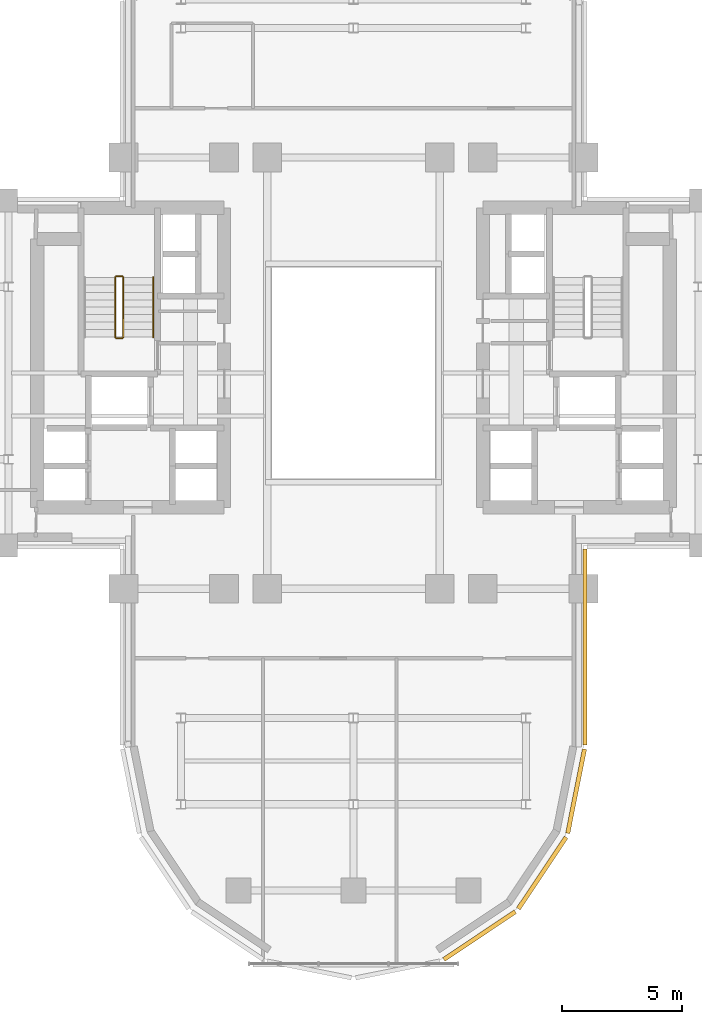
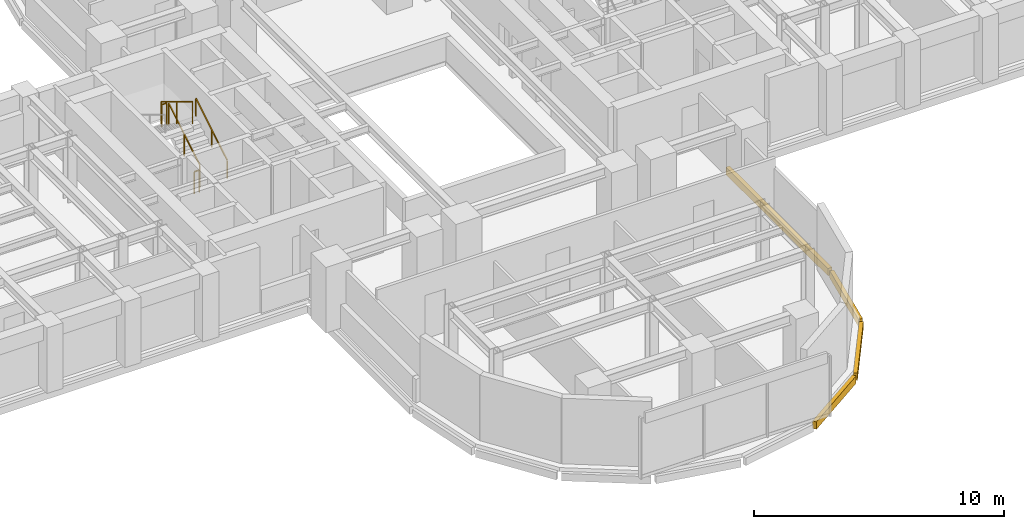
# One storey, part 14 of 16: 5 railings, 4 coverings.
"""IFC4 building model written with IfcOpenShell, lengths in metres."""

from ifc_helpers import new_model, si_unit, direction, frame, origin, origin_2d, place, context, subcontext, project, spatial, rectangle, extrude, source, transform, mapped, material, layer, layer_set, type_object, element, save


model = new_model("IFC4")

# Units and contexts
model_context = context("Model", 3, precision=1e-05, world=origin(), true_north=direction((0.0, 1.0)))
body_context = subcontext(model_context, "Body", "Model", "MODEL_VIEW")
ifc_project = project(units=[si_unit("LENGTHUNIT", "METRE"), si_unit("AREAUNIT", "SQUARE_METRE"), si_unit("VOLUMEUNIT", "CUBIC_METRE"), si_unit("PLANEANGLEUNIT", "RADIAN"), si_unit("MASSUNIT", "GRAM", prefix="KILO")], contexts=[model_context])

# Site, building, storey
site_placement = place(None, origin())
site = spatial("IfcSite", under=ifc_project, at=site_placement, CompositionType="ELEMENT")
building_placement = place(site_placement, origin())
building = spatial("IfcBuilding", under=site, at=building_placement, Name="Keilestroom Media Tower", CompositionType="ELEMENT")
storey_placement = place(building_placement, frame((0.0, 0.0, 54.39990234375)))
storey = spatial("IfcBuildingStorey", under=building, at=storey_placement, Name="L13", CompositionType="ELEMENT", Elevation=54.39990234375)

# Railings
ifc_material_1 = material(Name="Brushed Stainless Steel 1.4301", Category="steel")
railing_type_1 = type_object("IfcRailingType", Name="Stair-Pitch-Handrail-920", PredefinedType="HANDRAIL", material=ifc_material_1)
railing_1_placement = place(storey_placement, frame((-8.35009765625, 1.5, 0.18896484375)))
element("IfcRailing", 1, at=railing_1_placement, inside=storey, type_object=railing_type_1, Name="L13 ST-1 stair handrail 1", PredefinedType="HANDRAIL", context=body_context, shape_type="SweptSolid", body=[
    extrude(rectangle(XDim=0.048095703125, YDim=0.048095703125, at=origin_2d()), frame((0.0, 0.0, 0.8759765625), z_axis=(0.0, 0.855433747314, 0.517912255074), x_axis=(-1.0, 0.0, 0.0)), (0.0, 0.0, 1.0), 2.91796875),
    extrude(rectangle(XDim=0.0419921875, YDim=0.0419921875, at=origin_2d()), origin(), (0.0, 0.0, 1.0), 0.84375),
    extrude(rectangle(XDim=0.0419921875, YDim=0.0419921875, at=origin_2d()), frame((0.0, 1.248046875, 0.755615234375)), (0.0, 0.0, 1.0), 0.84375),
    extrude(rectangle(XDim=0.0419921875, YDim=0.0419921875, at=origin_2d()), frame((0.0, 2.49609375, 1.51123046875)), (0.0, 0.0, 1.0), 0.84375),
])
ifc_material_2 = material(Name="Painted Steel Balustrade", Category="steel")
railing_type_2 = type_object("IfcRailingType", Name="Stair-Well-And-Landing-Guard-1100", PredefinedType="GUARDRAIL", material=ifc_material_2)
railing_2_placement = place(storey_placement, frame((-9.610107421875, 1.5, 0.18896484375)))
element("IfcRailing", 2, at=railing_2_placement, inside=storey, type_object=railing_type_2, Name="L13 ST-1 stair guard 1", PredefinedType="GUARDRAIL", context=body_context, shape_type="SweptSolid", body=[
    extrude(rectangle(XDim=0.048095703125, YDim=0.048095703125, at=origin_2d()), frame((0.0, 0.0, 1.076171875), z_axis=(0.0, 0.855433747314, 0.517912255074), x_axis=(-1.0, 0.0, 0.0)), (0.0, 0.0, 1.0), 2.91796875),
    extrude(rectangle(XDim=0.0419921875, YDim=0.0419921875, at=origin_2d()), origin(), (0.0, 0.0, 1.0), 1.0439453125),
    extrude(rectangle(XDim=0.0419921875, YDim=0.0419921875, at=origin_2d()), frame((0.0, 1.248046875, 0.755615234375)), (0.0, 0.0, 1.0), 1.0439453125),
    extrude(rectangle(XDim=0.0419921875, YDim=0.0419921875, at=origin_2d()), frame((0.0, 2.49609375, 1.51123046875)), (0.0, 0.0, 1.0), 1.0439453125),
])
railing_3_placement = place(storey_placement, frame((-9.659912109375, 4.0458984375, 1.7001953125)))
element("IfcRailing", 3, at=railing_3_placement, inside=storey, type_object=railing_type_2, Name="L13 ST-1 stair guard 2", PredefinedType="GUARDRAIL", context=body_context, shape_type="SweptSolid", body=[
    extrude(rectangle(XDim=0.048095703125, YDim=0.048095703125, at=origin_2d()), frame((0.0, 0.0, 1.076171875), z_axis=(-1.0, 0.0, 0.0), x_axis=(0.0, -1.0, 0.0)), (0.0, 0.0, 1.0), 0.239990234375),
    extrude(rectangle(XDim=0.0419921875, YDim=0.0419921875, at=origin_2d()), origin(), (0.0, 0.0, 1.0), 1.0439453125),
    extrude(rectangle(XDim=0.0419921875, YDim=0.0419921875, at=origin_2d()), frame((-0.239990234375, 0.0, 0.0)), (0.0, 0.0, 1.0), 1.0439453125),
])
railing_4_placement = place(storey_placement, frame((-9.949951171875, 3.99609375, 1.888916015625)))
element("IfcRailing", 4, at=railing_4_placement, inside=storey, type_object=railing_type_2, Name="L13 ST-1 stair guard 3", PredefinedType="GUARDRAIL", context=body_context, shape_type="SweptSolid", body=[
    extrude(rectangle(XDim=0.048095703125, YDim=0.048095703125, at=origin_2d()), frame((0.0, 0.0, 1.076171875), z_axis=(0.0, -0.855433747314, 0.517912255074), x_axis=(1.0, 0.0, 0.0)), (0.0, 0.0, 1.0), 2.91796875),
    extrude(rectangle(XDim=0.0419921875, YDim=0.0419921875, at=origin_2d()), origin(), (0.0, 0.0, 1.0), 1.0439453125),
    extrude(rectangle(XDim=0.0419921875, YDim=0.0419921875, at=origin_2d()), frame((0.0, -1.248046875, 0.755615234375)), (0.0, 0.0, 1.0), 1.0439453125),
    extrude(rectangle(XDim=0.0419921875, YDim=0.0419921875, at=origin_2d()), frame((0.0, -2.49609375, 1.51123046875)), (0.0, 0.0, 1.0), 1.0439453125),
])
railing_5_placement = place(storey_placement, frame((-9.659912109375, 1.449951171875, 0.0)))
element("IfcRailing", 5, at=railing_5_placement, inside=storey, type_object=railing_type_2, Name="L13 ST-1 stair guard 4", PredefinedType="GUARDRAIL", context=body_context, shape_type="SweptSolid", body=[
    extrude(rectangle(XDim=0.048095703125, YDim=0.048095703125, at=origin_2d()), frame((0.0, 0.0, 1.076171875), z_axis=(-1.0, 0.0, 0.0), x_axis=(0.0, -1.0, 0.0)), (0.0, 0.0, 1.0), 0.239990234375),
    extrude(rectangle(XDim=0.0419921875, YDim=0.0419921875, at=origin_2d()), origin(), (0.0, 0.0, 1.0), 1.0439453125),
    extrude(rectangle(XDim=0.0419921875, YDim=0.0419921875, at=origin_2d()), frame((-0.239990234375, 0.0, 0.0)), (0.0, 0.0, 1.0), 1.0439453125),
])

# Coverings
ifc_material_3 = material(Name="Precast concrete C40/50", Category="concrete")
ifc_layer = layer(ifc_material_3, 0.1201171875)
ifc_layer_set = layer_set([ifc_layer], Name="Precast concrete C40/50")
covering_type = type_object("IfcCoveringType", Name="Exterior-Precast-Spandrel-Cladding-Panel-120", PredefinedType="CLADDING", material=ifc_layer_set)
shared_shape_1 = source(origin(), body_context, "Body", "SweptSolid", [
    extrude(rectangle(XDim=8.166015625, YDim=0.179931640625, at=origin_2d()), origin(), (0.0, 0.0, 1.0), 0.360107421875),
])
covering_1_placement = place(storey_placement, frame((9.659912109375, -11.43310546875, -0.5400390625), z_axis=(0.0, 0.0, 1.0), x_axis=(0.0, -1.0, 0.0)))
element("IfcCovering", 6, at=covering_1_placement, inside=storey, type_object=covering_type, Name="L13 Precast Slab-Edge Fascia Cornice 06", PredefinedType="CLADDING", context=body_context, shape_type="MappedRepresentation", body=[
    mapped(shared_shape_1, transform((0.0, 0.0, 0.0), x_axis=(1.0, 0.0, 0.0), y_axis=(0.0, 1.0, 0.0), z_axis=(0.0, 0.0, 1.0), scale=1.0)),
])
shared_shape_2 = source(origin(), body_context, "Body", "SweptSolid", [
    extrude(rectangle(XDim=3.58349609375, YDim=0.179931640625, at=origin_2d()), origin(), (0.0, 0.0, 1.0), 0.360107421875),
])
covering_2_placement = place(storey_placement, frame((9.29296875, -17.45166015625, -0.5400390625), z_axis=(0.0, 0.0, 1.0), x_axis=(-0.195098880975, -0.980783577882, 0.0)))
element("IfcCovering", 7, at=covering_2_placement, inside=storey, type_object=covering_type, Name="L13 Precast Slab-Edge Fascia Cornice 07", PredefinedType="CLADDING", context=body_context, shape_type="MappedRepresentation", body=[
    mapped(shared_shape_2, transform((0.0, 0.0, 0.0), x_axis=(1.0, 0.0, 0.0), y_axis=(0.0, 1.0, 0.0), z_axis=(0.0, 0.0, 1.0), scale=1.0)),
])
shared_shape_3 = source(origin(), body_context, "Body", "SweptSolid", [
    extrude(rectangle(XDim=3.589599609375, YDim=0.179931640625, at=origin_2d()), origin(), (0.0, 0.0, 1.0), 0.360107421875),
])
for number, where, z_axis, x_axis, name in (
    (8, (7.878662109375, -20.8642578125, -0.5400390625), (0.0, 0.0, 1.0), (-0.555574586577, -0.831466703332, 0.0), "L13 Precast Slab-Edge Fascia Cornice 08"),
    (9, (5.264404296875, -23.478515625, -0.5400390625), (0.0, 0.0, 1.0), (-0.831466703332, -0.555574586577, 0.0), "L13 Precast Slab-Edge Fascia Cornice 09"),
):
    element("IfcCovering", number, at=place(storey_placement, frame(where, z_axis=z_axis, x_axis=x_axis)), inside=storey, type_object=covering_type, Name=name, PredefinedType="CLADDING", context=body_context, shape_type="MappedRepresentation", body=[
        mapped(shared_shape_3, transform((0.0, 0.0, 0.0), x_axis=(1.0, 0.0, 0.0), y_axis=(0.0, 1.0, 0.0), z_axis=(0.0, 0.0, 1.0), scale=1.0)),
    ])

save(model, "model.ifc")
